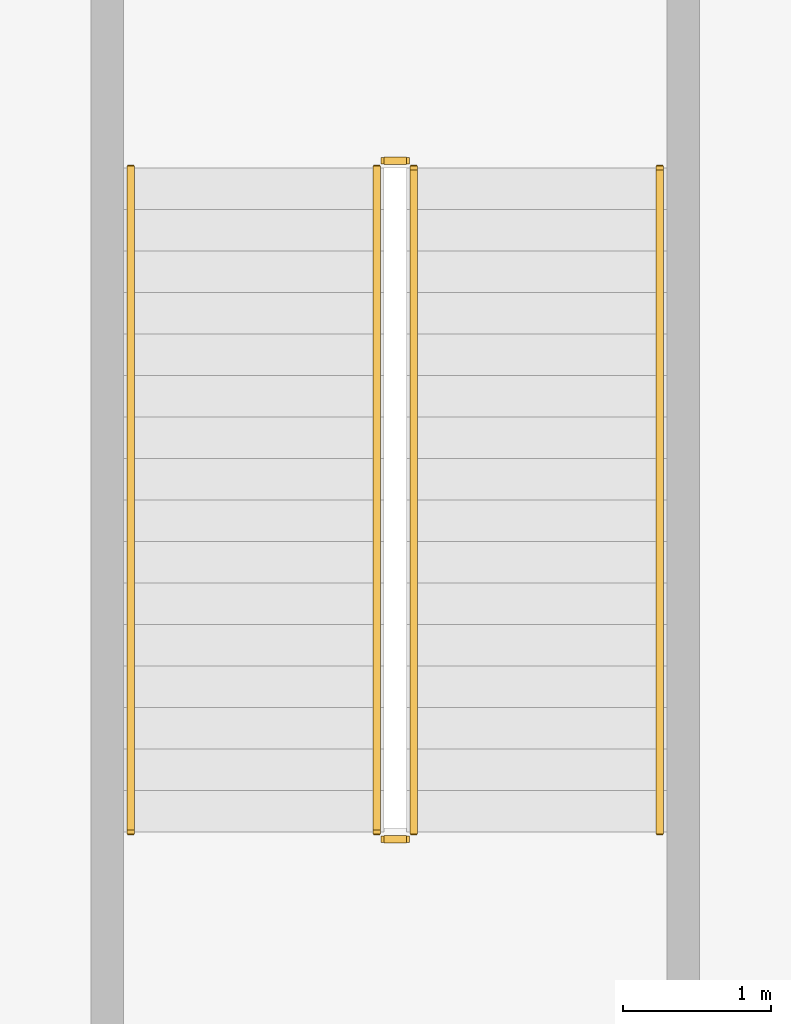
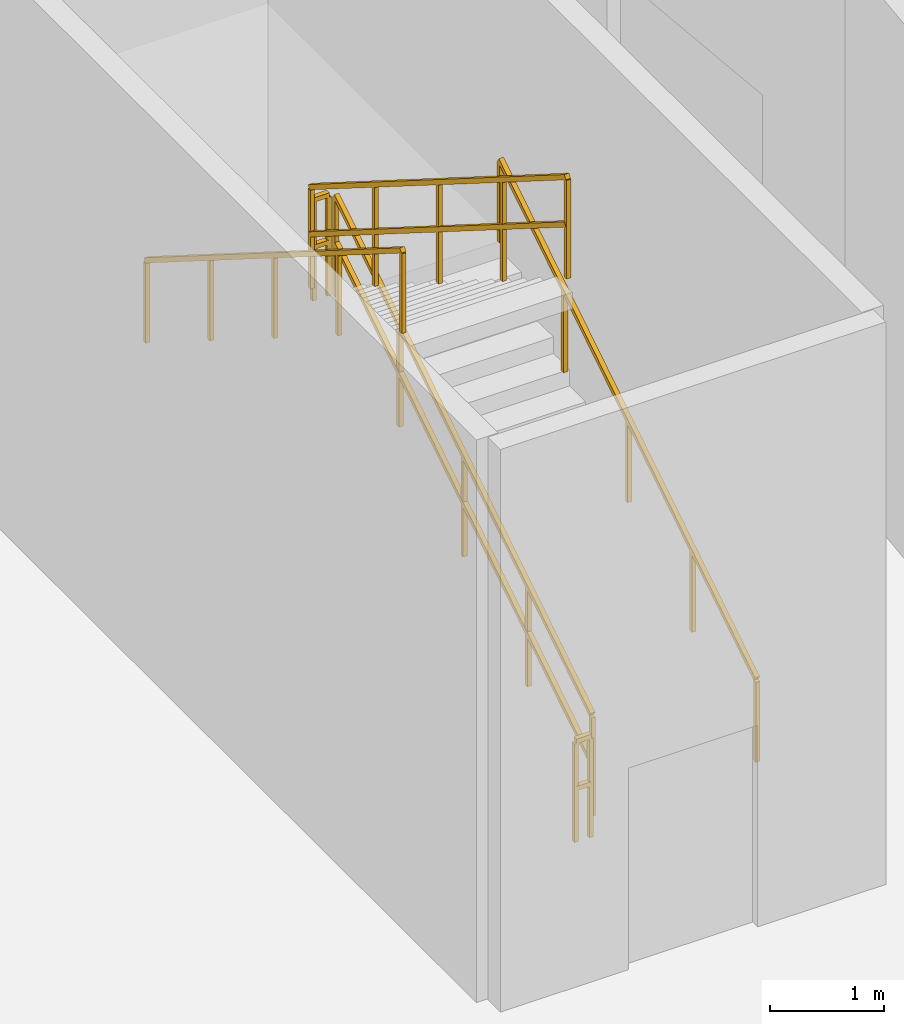
# One storey, part 10 of 10: 6 railings.
"""IFC4 building model written with IfcOpenShell, lengths in metres."""

import ifcopenshell
import ifcopenshell.guid

model = None  # the IFC model being written
_history = None  # IfcOwnerHistory: only IFC2X3 demands one
_inside = {}  # id of a spatial element -> (the spatial element, [elements in it])
_under = {}  # id of a project, library or spatial element -> (it, [spatial elements below it])
_declared = {}  # id of a project -> (the project, [libraries it declares])
_typed = {}  # id of a type object -> (the type object, [elements of that type])
_made_of = {}  # id of a material, layer set ... -> (it, [elements and type objects made of it])


def new_model(schema):
    """Start an empty IFC model of exactly this schema.

    Asked for "IFC4X3", IfcOpenShell would pick the latest addendum, in which some entities
    have other attributes; the version numbers below select the first issue.
    IFC2X3 requires an IfcOwnerHistory on every rooted entity: one is made here for all.
    """
    global model, _history
    if schema == "IFC4X3":
        model = ifcopenshell.file(schema_version=(4, 3, 0, 0))
    else:
        model = ifcopenshell.file(schema=schema)
    _inside.clear()
    _under.clear()
    _declared.clear()
    _typed.clear()
    _made_of.clear()
    _history = None
    if model.schema == "IFC2X3":
        org = make("IfcOrganization", Name="unknown")
        user = make(
            "IfcPersonAndOrganization",
            ThePerson=make("IfcPerson", FamilyName="unknown"),
            TheOrganization=org,
        )
        app = make(
            "IfcApplication",
            ApplicationDeveloper=org,
            Version="unknown",
            ApplicationFullName="unknown",
            ApplicationIdentifier="unknown",
        )
        _history = make(
            "IfcOwnerHistory",
            OwningUser=user,
            OwningApplication=app,
            ChangeAction="ADDED",
            CreationDate=0,
        )
    return model


def make(cls, **values):
    """One entity of the class cls with the attributes given. An attribute that is None is left unset."""
    return model.create_entity(
        cls, **{name: value for name, value in values.items() if value is not None}
    )


def rooted(cls, **values):
    """An entity with a GlobalId (a new one), such as an element, a storey or a relation."""
    return make(cls, GlobalId=ifcopenshell.guid.new(), OwnerHistory=_history, **values)


def si_unit(unit_type, name, prefix=None):
    """IfcSIUnit, for example si_unit("LENGTHUNIT", "METRE", prefix="MILLI")."""
    return make("IfcSIUnit", UnitType=unit_type, Prefix=prefix, Name=name)


def assignment(units):
    """IfcUnitAssignment: the units of a project."""
    return None if units is None else make("IfcUnitAssignment", Units=units)


def point(xyz):
    """IfcCartesianPoint."""
    return None if xyz is None else make("IfcCartesianPoint", Coordinates=xyz)


def direction(xyz):
    """IfcDirection."""
    return None if xyz is None else make("IfcDirection", DirectionRatios=xyz)


def frame(location, z_axis=None, x_axis=None):
    """IfcAxis2Placement3D, a coordinate frame: its origin and axes. An axis left out is left unset."""
    return make(
        "IfcAxis2Placement3D",
        Location=point(location),
        Axis=direction(z_axis),
        RefDirection=direction(x_axis),
    )


def frame_2d(location, x_axis=None):
    """IfcAxis2Placement2D, a coordinate frame in the plane: its origin and x axis."""
    return make(
        "IfcAxis2Placement2D", Location=point(location), RefDirection=direction(x_axis)
    )


def origin():
    """The frame at (0, 0, 0) with its axes left unset."""
    return frame((0.0, 0.0, 0.0))


def origin_2d():
    """The frame at (0, 0) in the plane with its x axis left unset."""
    return frame_2d((0.0, 0.0))


def place(relative_to, where):
    """IfcLocalPlacement: puts the frame where relative to a parent placement (None: the world)."""
    return make(
        "IfcLocalPlacement", PlacementRelTo=relative_to, RelativePlacement=where
    )


def context(
    kind, dimensions, precision=None, world=None, true_north=None, identifier=None
):
    """IfcGeometricRepresentationContext, for example the 3D "Model" context."""
    return make(
        "IfcGeometricRepresentationContext",
        ContextIdentifier=identifier,
        ContextType=kind,
        CoordinateSpaceDimension=dimensions,
        Precision=precision,
        WorldCoordinateSystem=world,
        TrueNorth=true_north,
    )


def subcontext(parent, identifier, kind, view, scale=None):
    """IfcGeometricRepresentationSubContext, for example "Body" below "Model"."""
    return make(
        "IfcGeometricRepresentationSubContext",
        ContextIdentifier=identifier,
        ContextType=kind,
        ParentContext=parent,
        TargetScale=scale,
        TargetView=view,
    )


def project(units=None, contexts=None):
    """IfcProject with its units and contexts."""
    return rooted(
        "IfcProject",
        Name="project",
        RepresentationContexts=contexts,
        UnitsInContext=assignment(units),
    )


def spatial(cls, under=None, at=None, **own):
    """A site, building, storey or space (cls), placed at a placement, below another one or the project."""
    s = rooted(cls, ObjectPlacement=at, **own)
    if under is not None:
        _under.setdefault(under.id(), (under, []))[1].append(s)
    return s


def profile(cls, at=None, kind="AREA", **sizes):
    """A parametric profile (cls). Its sizes go by their IFC names, for example OverallWidth=200.0."""
    return make(cls, ProfileType=kind, Position=at, **sizes)


def rectangle(**sizes):
    """IfcRectangleProfileDef."""
    return profile("IfcRectangleProfileDef", **sizes)


def extrude(swept, where, along, depth):
    """IfcExtrudedAreaSolid: the profile swept, set in the frame where, extruded along a direction by depth."""
    return make(
        "IfcExtrudedAreaSolid",
        SweptArea=swept,
        Position=where,
        ExtrudedDirection=direction(along),
        Depth=depth,
    )


def shape(context_of_items, identifier, shape_type, items):
    """IfcShapeRepresentation: the items that make up one representation, for example the "Body"."""
    return make(
        "IfcShapeRepresentation",
        ContextOfItems=context_of_items,
        RepresentationIdentifier=identifier,
        RepresentationType=shape_type,
        Items=items,
    )


def material(Name=None, Category=None):
    """IfcMaterial."""
    return make("IfcMaterial", Name=Name, Category=Category)


def made_of(thing, what):
    """Note that an element or type object is made of a material, layer set ...; save() writes the relation."""
    if what is not None:
        _made_of.setdefault(what.id(), (what, []))[1].append(thing)
    return thing


def type_object(cls, material=None, **own):
    """A type object (cls), such as IfcWallType, which elements share."""
    return made_of(rooted(cls, **own), material)


def element(
    cls,
    number,
    at=None,
    inside=None,
    cuts=None,
    type_object=None,
    material=None,
    context=None,
    identifier="Body",
    shape_type=None,
    held_by="IfcProductDefinitionShape",
    body=None,
    shapes=None,
    **own,
):
    """One element of the class cls, such as IfcWall. Its Tag is "e" and its number.

    at: its placement. inside: the storey or other place that contains it. cuts: it is an
    opening in that element (IfcRelVoidsElement). A single representation is given by context,
    identifier, shape_type and body (its items); several are given by shapes. held_by: the class
    of the entity that holds the representations. save() writes the other relations.
    """
    e = rooted(cls, Tag="e%d" % number, ObjectPlacement=at, **own)
    if body is not None:
        shapes = [shape(context, identifier, shape_type, body)]
    if shapes is not None:
        e.Representation = make(held_by, Representations=shapes)
    if inside is not None:
        _inside.setdefault(inside.id(), (inside, []))[1].append(e)
    if cuts is not None:
        rooted(
            "IfcRelVoidsElement", RelatingBuildingElement=cuts, RelatedOpeningElement=e
        )
    if type_object is not None:
        _typed.setdefault(type_object.id(), (type_object, []))[1].append(e)
    return made_of(e, material)


def aggregate(whole, parts):
    """IfcRelAggregates: a whole, such as a stair, and the parts it consists of."""
    return rooted("IfcRelAggregates", RelatingObject=whole, RelatedObjects=parts)


def save(model, path):
    """Write the relations noted so far, then the file.

    IfcRelAggregates (storeys below a building ...), IfcRelContainedInSpatialStructure (elements
    in a storey), IfcRelDefinesByType, IfcRelAssociatesMaterial and IfcRelDeclares: one each for
    every whole, place, type object, material and project.
    """
    for whole, parts in _under.values():
        aggregate(whole, parts)
    for where, things in _inside.values():
        rooted(
            "IfcRelContainedInSpatialStructure",
            RelatedElements=things,
            RelatingStructure=where,
        )
    for kind, things in _typed.values():
        rooted("IfcRelDefinesByType", RelatedObjects=things, RelatingType=kind)
    for what, things in _made_of.values():
        rooted("IfcRelAssociatesMaterial", RelatedObjects=things, RelatingMaterial=what)
    for by, libraries in _declared.values():
        rooted("IfcRelDeclares", RelatingContext=by, RelatedDefinitions=libraries)
    model.write(path)


model = new_model("IFC4")

# Units and contexts
model_context = context("Model", 3, precision=1e-05, world=origin(), true_north=direction((0.0, 1.0)))
body_context = subcontext(model_context, "Body", "Model", "MODEL_VIEW")
ifc_project = project(units=[si_unit("LENGTHUNIT", "METRE"), si_unit("AREAUNIT", "SQUARE_METRE"), si_unit("VOLUMEUNIT", "CUBIC_METRE"), si_unit("PLANEANGLEUNIT", "RADIAN"), si_unit("MASSUNIT", "GRAM", prefix="KILO")], contexts=[model_context])

# Site, building, storey
site_placement = place(None, origin())
site = spatial("IfcSite", under=ifc_project, at=site_placement, CompositionType="ELEMENT")
building_placement = place(site_placement, origin())
building = spatial("IfcBuilding", under=site, at=building_placement, Name="Breltana Convention Tower", CompositionType="ELEMENT")
storey_placement = place(building_placement, frame((0.0, 0.0, 6.0)))
storey = spatial("IfcBuildingStorey", under=building, at=storey_placement, Name="L01", CompositionType="ELEMENT", Elevation=6.0)

# Railings
ifc_material_1 = material(Name="Steel S275 Painted", Category="steel")
railing_type_1 = type_object("IfcRailingType", Name="RL-STAIR-GUARD-1100", PredefinedType="GUARDRAIL", material=ifc_material_1)
railing_1_placement = place(storey_placement, frame((88.7900390625, 38.56005859375, 0.176513671875)))
element("IfcRailing", 1, at=railing_1_placement, inside=storey, type_object=railing_type_1, Name="L01 ST-4 stair guard 1", PredefinedType="GUARDRAIL", context=body_context, shape_type="SweptSolid", body=[
    extrude(rectangle(XDim=0.048095703125, YDim=0.048095703125, at=origin_2d()), frame((0.0, 0.0, 1.076171875), z_axis=(0.0, 0.845997938375, 0.533186166611), x_axis=(-1.0, 0.0, 0.0)), (0.0, 0.0, 1.0), 5.29541015625),
    extrude(rectangle(XDim=0.048095703125, YDim=0.048095703125, at=origin_2d()), frame((0.0, 0.0, 0.572021484375), z_axis=(0.0, 0.845997938375, 0.533186166611), x_axis=(-1.0, 0.0, 0.0)), (0.0, 0.0, 1.0), 5.29541015625),
    extrude(rectangle(XDim=0.0419921875, YDim=0.0419921875, at=origin_2d()), origin(), (0.0, 0.0, 1.0), 1.052001953125),
    extrude(rectangle(XDim=0.0419921875, YDim=0.0419921875, at=origin_2d()), frame((0.0, 1.1201171875, 0.705810546875)), (0.0, 0.0, 1.0), 1.052001953125),
    extrude(rectangle(XDim=0.0419921875, YDim=0.0419921875, at=origin_2d()), frame((0.0, 2.239990234375, 1.41162109375)), (0.0, 0.0, 1.0), 1.052001953125),
    extrude(rectangle(XDim=0.0419921875, YDim=0.0419921875, at=origin_2d()), frame((0.0, 3.35986328125, 2.11767578125)), (0.0, 0.0, 1.0), 1.052001953125),
    extrude(rectangle(XDim=0.0419921875, YDim=0.0419921875, at=origin_2d()), frame((0.0, 4.47998046875, 2.823486328125)), (0.0, 0.0, 1.0), 1.052001953125),
])
railing_2_placement = place(storey_placement, frame((88.739990234375, 43.090087890625, 3.0)))
element("IfcRailing", 2, at=railing_2_placement, inside=storey, type_object=railing_type_1, Name="L01 ST-4 stair guard 2", PredefinedType="GUARDRAIL", context=body_context, shape_type="SweptSolid", body=[
    extrude(rectangle(XDim=0.048095703125, YDim=0.048095703125, at=origin_2d()), frame((0.0, 0.0, 1.076171875), z_axis=(-1.0, 0.0, 0.0), x_axis=(0.0, -1.0, 0.0)), (0.0, 0.0, 1.0), 0.14990234375),
    extrude(rectangle(XDim=0.048095703125, YDim=0.048095703125, at=origin_2d()), frame((0.0, 0.0, 0.572021484375), z_axis=(-1.0, 0.0, 0.0), x_axis=(0.0, -1.0, 0.0)), (0.0, 0.0, 1.0), 0.14990234375),
    extrude(rectangle(XDim=0.0419921875, YDim=0.0419921875, at=origin_2d()), origin(), (0.0, 0.0, 1.0), 1.052001953125),
    extrude(rectangle(XDim=0.0419921875, YDim=0.0419921875, at=origin_2d()), frame((-0.14990234375, 0.0, 0.0)), (0.0, 0.0, 1.0), 1.052001953125),
])
railing_3_placement = place(storey_placement, frame((88.5400390625, 43.0400390625, 3.176513671875)))
element("IfcRailing", 3, at=railing_3_placement, inside=storey, type_object=railing_type_1, Name="L01 ST-4 stair guard 3", PredefinedType="GUARDRAIL", context=body_context, shape_type="SweptSolid", body=[
    extrude(rectangle(XDim=0.048095703125, YDim=0.048095703125, at=origin_2d()), frame((0.0, 0.0, 1.076171875), z_axis=(0.0, -0.845997938375, 0.533186166611), x_axis=(1.0, 0.0, 0.0)), (0.0, 0.0, 1.0), 5.29541015625),
    extrude(rectangle(XDim=0.048095703125, YDim=0.048095703125, at=origin_2d()), frame((0.0, 0.0, 0.572021484375), z_axis=(0.0, -0.845997938375, 0.533186166611), x_axis=(1.0, 0.0, 0.0)), (0.0, 0.0, 1.0), 5.29541015625),
    extrude(rectangle(XDim=0.0419921875, YDim=0.0419921875, at=origin_2d()), origin(), (0.0, 0.0, 1.0), 1.052001953125),
    extrude(rectangle(XDim=0.0419921875, YDim=0.0419921875, at=origin_2d()), frame((0.0, -1.1201171875, 0.705810546875)), (0.0, 0.0, 1.0), 1.052001953125),
    extrude(rectangle(XDim=0.0419921875, YDim=0.0419921875, at=origin_2d()), frame((0.0, -2.239990234375, 1.41162109375)), (0.0, 0.0, 1.0), 1.052001953125),
    extrude(rectangle(XDim=0.0419921875, YDim=0.0419921875, at=origin_2d()), frame((0.0, -3.35986328125, 2.11767578125)), (0.0, 0.0, 1.0), 1.052001953125),
    extrude(rectangle(XDim=0.0419921875, YDim=0.0419921875, at=origin_2d()), frame((0.0, -4.47998046875, 2.823486328125)), (0.0, 0.0, 1.0), 1.052001953125),
])
railing_4_placement = place(storey_placement, frame((88.739990234375, 38.510009765625, 0.0)))
element("IfcRailing", 4, at=railing_4_placement, inside=storey, type_object=railing_type_1, Name="L01 ST-4 stair guard 4", PredefinedType="GUARDRAIL", context=body_context, shape_type="SweptSolid", body=[
    extrude(rectangle(XDim=0.048095703125, YDim=0.048095703125, at=origin_2d()), frame((0.0, 0.0, 1.076171875), z_axis=(-1.0, 0.0, 0.0), x_axis=(0.0, -1.0, 0.0)), (0.0, 0.0, 1.0), 0.14990234375),
    extrude(rectangle(XDim=0.048095703125, YDim=0.048095703125, at=origin_2d()), frame((0.0, 0.0, 0.572021484375), z_axis=(-1.0, 0.0, 0.0), x_axis=(0.0, -1.0, 0.0)), (0.0, 0.0, 1.0), 0.14990234375),
    extrude(rectangle(XDim=0.0419921875, YDim=0.0419921875, at=origin_2d()), origin(), (0.0, 0.0, 1.0), 1.052001953125),
    extrude(rectangle(XDim=0.0419921875, YDim=0.0419921875, at=origin_2d()), frame((-0.14990234375, 0.0, 0.0)), (0.0, 0.0, 1.0), 1.052001953125),
])
ifc_material_2 = material(Name="Stainless Steel 316L", Category="steel")
railing_type_2 = type_object("IfcRailingType", Name="RL-STAIR-HANDRAIL-900", PredefinedType="HANDRAIL", material=ifc_material_2)
railing_5_placement = place(storey_placement, frame((90.449951171875, 38.56005859375, 0.176513671875)))
element("IfcRailing", 5, at=railing_5_placement, inside=storey, type_object=railing_type_2, Name="L01 ST-4 stair handrail 1", PredefinedType="HANDRAIL", context=body_context, shape_type="SweptSolid", body=[
    extrude(rectangle(XDim=0.048095703125, YDim=0.048095703125, at=origin_2d()), frame((0.0, 0.0, 0.8759765625), z_axis=(0.0, 0.845997938375, 0.533186166611), x_axis=(-1.0, 0.0, 0.0)), (0.0, 0.0, 1.0), 5.29541015625),
    extrude(rectangle(XDim=0.0419921875, YDim=0.0419921875, at=origin_2d()), origin(), (0.0, 0.0, 1.0), 0.851806640625),
    extrude(rectangle(XDim=0.0419921875, YDim=0.0419921875, at=origin_2d()), frame((0.0, 1.1201171875, 0.705810546875)), (0.0, 0.0, 1.0), 0.851806640625),
    extrude(rectangle(XDim=0.0419921875, YDim=0.0419921875, at=origin_2d()), frame((0.0, 2.239990234375, 1.41162109375)), (0.0, 0.0, 1.0), 0.851806640625),
    extrude(rectangle(XDim=0.0419921875, YDim=0.0419921875, at=origin_2d()), frame((0.0, 3.35986328125, 2.11767578125)), (0.0, 0.0, 1.0), 0.851806640625),
    extrude(rectangle(XDim=0.0419921875, YDim=0.0419921875, at=origin_2d()), frame((0.0, 4.47998046875, 2.823486328125)), (0.0, 0.0, 1.0), 0.851806640625),
])
railing_6_placement = place(storey_placement, frame((86.8798828125, 43.0400390625, 3.176513671875)))
element("IfcRailing", 6, at=railing_6_placement, inside=storey, type_object=railing_type_2, Name="L01 ST-4 stair handrail 2", PredefinedType="HANDRAIL", context=body_context, shape_type="SweptSolid", body=[
    extrude(rectangle(XDim=0.048095703125, YDim=0.048095703125, at=origin_2d()), frame((0.0, 0.0, 0.8759765625), z_axis=(0.0, -0.845997938375, 0.533186166611), x_axis=(1.0, 0.0, 0.0)), (0.0, 0.0, 1.0), 5.29541015625),
    extrude(rectangle(XDim=0.0419921875, YDim=0.0419921875, at=origin_2d()), origin(), (0.0, 0.0, 1.0), 0.851806640625),
    extrude(rectangle(XDim=0.0419921875, YDim=0.0419921875, at=origin_2d()), frame((0.0, -1.1201171875, 0.705810546875)), (0.0, 0.0, 1.0), 0.851806640625),
    extrude(rectangle(XDim=0.0419921875, YDim=0.0419921875, at=origin_2d()), frame((0.0, -2.239990234375, 1.41162109375)), (0.0, 0.0, 1.0), 0.851806640625),
    extrude(rectangle(XDim=0.0419921875, YDim=0.0419921875, at=origin_2d()), frame((0.0, -3.35986328125, 2.11767578125)), (0.0, 0.0, 1.0), 0.851806640625),
    extrude(rectangle(XDim=0.0419921875, YDim=0.0419921875, at=origin_2d()), frame((0.0, -4.47998046875, 2.823486328125)), (0.0, 0.0, 1.0), 0.851806640625),
])

save(model, "model.ifc")
